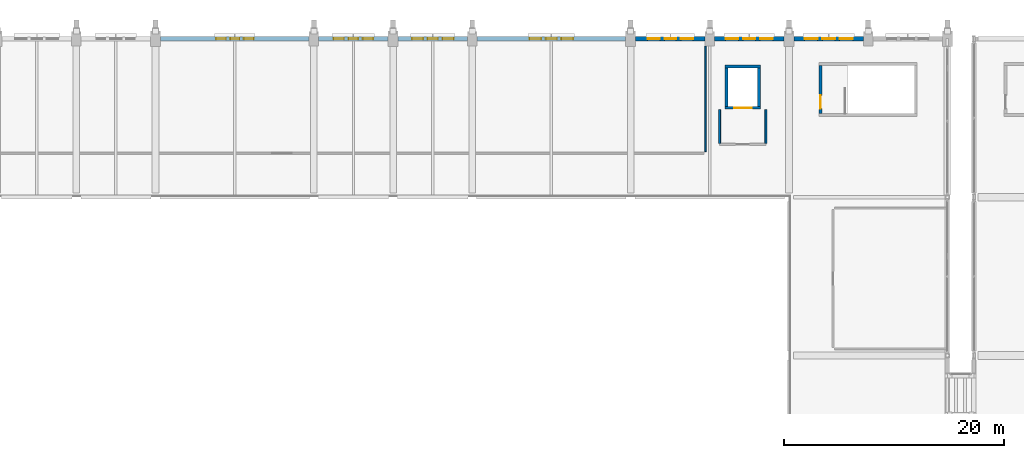
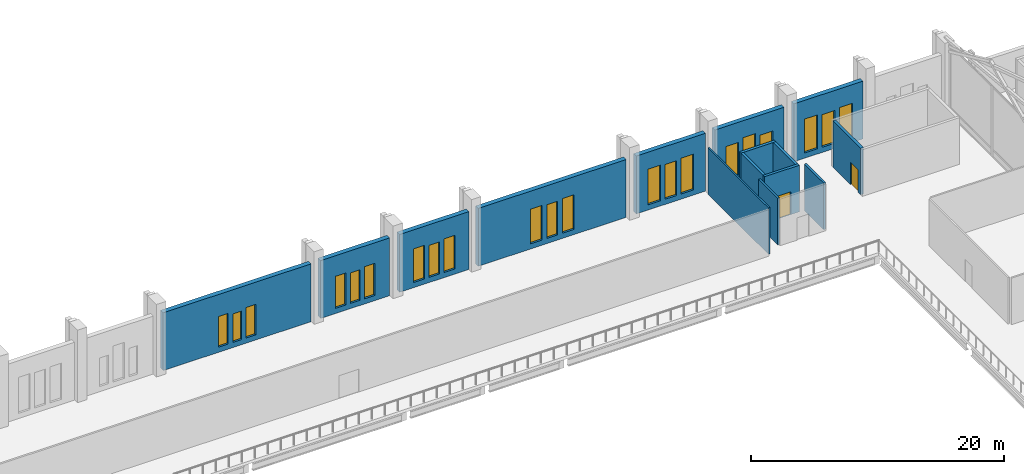
# One storey, part 170 of 220: 21 windows, 15 walls, 2 doors, 23 openings.
"""IFC4 building model written with IfcOpenShell, lengths in metres."""

from ifc_helpers import new_model, si_unit, direction, frame, frame_2d, origin, place, context, subcontext, project, spatial, rectangle, extrude, material, layer, layer_set, type_object, element, fill, save


model = new_model("IFC4")

# Units and contexts
model_context = context("Model", 3, precision=1e-05, world=origin(), true_north=direction((0.0, 1.0)))
body_context = subcontext(model_context, "Body", "Model", "MODEL_VIEW")
ifc_project = project(units=[si_unit("LENGTHUNIT", "METRE"), si_unit("AREAUNIT", "SQUARE_METRE"), si_unit("VOLUMEUNIT", "CUBIC_METRE"), si_unit("PLANEANGLEUNIT", "RADIAN"), si_unit("MASSUNIT", "GRAM", prefix="KILO")], contexts=[model_context])

# Site, building, storey
site_placement = place(None, origin())
site = spatial("IfcSite", under=ifc_project, at=site_placement, CompositionType="ELEMENT")
building_placement = place(site_placement, origin())
building = spatial("IfcBuilding", under=site, at=building_placement, Name="Cendralis Lancet Convention Centre", CompositionType="ELEMENT")
storey_placement = place(building_placement, frame((0.0, 0.0, 5.39990234375)))
storey = spatial("IfcBuildingStorey", under=building, at=storey_placement, Name="L01", CompositionType="ELEMENT", Elevation=5.39990234375)

# Wall, openings, windows
ifc_material_1 = material(Name="Buff sandstone ashlar and Concrete G40 (C40/50)", Category="masonry")
ifc_layer_1 = layer(ifc_material_1, 0.419921875, Name="Buff sandstone ashlar and Concrete G40 (C40/50)")
ifc_layer_set_1 = layer_set([ifc_layer_1], Name="Buff sandstone ashlar and Concrete G40 (C40/50)")
wall_type_1 = type_object("IfcWallType", Name="ARC-EW-W420", PredefinedType="STANDARD", material=ifc_layer_set_1)
wall_1_placement = place(storey_placement, frame((50.85791015625, 136.800048828125, 0.0), z_axis=(0.0, 0.0, 1.0), x_axis=(1.0, 0.0, 0.0)))
wall_1 = element("IfcWall", 1, at=wall_1_placement, inside=storey, type_object=wall_type_1, Name="L01 V1 Exterior Wall EW-01 #0043", PredefinedType="STANDARD", context=body_context, shape_type="SweptSolid", body=[
    extrude(rectangle(XDim=13.509033203125, YDim=0.419921875, at=frame_2d((6.75439453125, 0.0))), origin(), (0.0, 0.0, 1.0), 5.585205078125),
])
opening_1_placement = place(wall_1_placement, frame((5.054443359375, 0.0, 0.5)))
opening_1 = element("IfcOpeningElement", 2, at=opening_1_placement, cuts=wall_1, Name="Opening WN-08", PredefinedType="OPENING", context=body_context, shape_type="SweptSolid", body=[
    extrude(rectangle(XDim=0.8798828125, YDim=2.949951171875, at=frame_2d((0.43994140625, 1.47509765625))), frame((0.0, 0.219970703125, 0.0), z_axis=(0.0, -1.0, 0.0), x_axis=(1.0, 0.0, 0.0)), (0.0, 0.0, 1.0), 0.43994140625),
])
opening_2_placement = place(wall_1_placement, frame((6.3544921875, 0.0, 0.5)))
opening_2 = element("IfcOpeningElement", 3, at=opening_2_placement, cuts=wall_1, Name="Opening WN-07", PredefinedType="OPENING", context=body_context, shape_type="SweptSolid", body=[
    extrude(rectangle(XDim=0.800048828125, YDim=2.75, at=frame_2d((0.39990234375, 1.375))), frame((0.0, 0.219970703125, 0.0), z_axis=(0.0, -1.0, 0.0), x_axis=(1.0, 0.0, 0.0)), (0.0, 0.0, 1.0), 0.43994140625),
])
opening_3_placement = place(wall_1_placement, frame((7.574462890625, 0.0, 0.5)))
opening_3 = element("IfcOpeningElement", 4, at=opening_3_placement, cuts=wall_1, Name="Opening WN-08", PredefinedType="OPENING", context=body_context, shape_type="SweptSolid", body=[
    extrude(rectangle(XDim=0.8798828125, YDim=2.949951171875, at=frame_2d((0.43994140625, 1.47509765625))), frame((0.0, 0.219970703125, 0.0), z_axis=(0.0, -1.0, 0.0), x_axis=(1.0, 0.0, 0.0)), (0.0, 0.0, 1.0), 0.43994140625),
])
ifc_material_2 = material(Name="Double-glazed low-E solar-control glass", Category="glass")
window_type_1 = type_object("IfcWindowType", Name="ARC-WN-LW07", PartitioningType="SINGLE_PANEL", PredefinedType="WINDOW", material=ifc_material_2)
window_1_placement = place(opening_2_placement, origin())
window_1 = element("IfcWindow", 5, at=window_1_placement, inside=storey, type_object=window_type_1, Name="Gothic Lancet Window WN-07 #0050", OverallHeight=2.75, OverallWidth=0.800048828125, PartitioningType="SINGLE_PANEL", PredefinedType="WINDOW", context=body_context, shape_type="SweptSolid", body=[
    extrude(rectangle(XDim=0.800048828125, YDim=2.75, at=frame_2d((0.39990234375, 1.375))), frame((0.0, 0.030029296875, 0.0), z_axis=(0.0, -1.0, 0.0), x_axis=(1.0, 0.0, 0.0)), (0.0, 0.0, 1.0), 0.06005859375),
])
fill(opening_2, window_1)
window_type_2 = type_object("IfcWindowType", Name="ARC-WN-LW08", PartitioningType="SINGLE_PANEL", PredefinedType="WINDOW", material=ifc_material_2)
window_2_placement = place(opening_1_placement, origin())
window_2 = element("IfcWindow", 6, at=window_2_placement, inside=storey, type_object=window_type_2, Name="Gothic Lancet Window WN-08 #0049", OverallHeight=2.949951171875, OverallWidth=0.8798828125, PartitioningType="SINGLE_PANEL", PredefinedType="WINDOW", context=body_context, shape_type="SweptSolid", body=[
    extrude(rectangle(XDim=0.8798828125, YDim=2.949951171875, at=frame_2d((0.43994140625, 1.47509765625))), frame((0.0, 0.030029296875, 0.0), z_axis=(0.0, -1.0, 0.0), x_axis=(1.0, 0.0, 0.0)), (0.0, 0.0, 1.0), 0.06005859375),
])
fill(opening_1, window_2)
window_3_placement = place(opening_3_placement, origin())
window_3 = element("IfcWindow", 7, at=window_3_placement, inside=storey, type_object=window_type_2, Name="Gothic Lancet Window WN-08 #0051", OverallHeight=2.949951171875, OverallWidth=0.8798828125, PartitioningType="SINGLE_PANEL", PredefinedType="WINDOW", context=body_context, shape_type="SweptSolid", body=[
    extrude(rectangle(XDim=0.8798828125, YDim=2.949951171875, at=frame_2d((0.43994140625, 1.47509765625))), frame((0.0, 0.030029296875, 0.0), z_axis=(0.0, -1.0, 0.0), x_axis=(1.0, 0.0, 0.0)), (0.0, 0.0, 1.0), 0.06005859375),
])
fill(opening_3, window_3)

wall_2_placement = place(storey_placement, frame((65.23291015625, 136.800048828125, 0.0), z_axis=(0.0, 0.0, 1.0), x_axis=(1.0, 0.0, 0.0)))
wall_2 = element("IfcWall", 8, at=wall_2_placement, inside=storey, type_object=wall_type_1, Name="L01 V1 Exterior Wall EW-01 #0044", PredefinedType="STANDARD", context=body_context, shape_type="SweptSolid", body=[
    extrude(rectangle(XDim=6.30908203125, YDim=0.419921875, at=frame_2d((3.154541015625, 0.0))), origin(), (0.0, 0.0, 1.0), 5.585205078125),
])
opening_4_placement = place(wall_2_placement, frame((1.3544921875, 0.0, 0.5)))
opening_4 = element("IfcOpeningElement", 9, at=opening_4_placement, cuts=wall_2, Name="Opening WN-09", PredefinedType="OPENING", context=body_context, shape_type="SweptSolid", body=[
    extrude(rectangle(XDim=0.93994140625, YDim=3.10009765625, at=frame_2d((0.469970703125, 1.550048828125))), frame((0.0, 0.219970703125, 0.0), z_axis=(0.0, -1.0, 0.0), x_axis=(1.0, 0.0, 0.0)), (0.0, 0.0, 1.0), 0.43994140625),
])
opening_5_placement = place(wall_2_placement, frame((2.714599609375, 0.0, 0.5)))
opening_5 = element("IfcOpeningElement", 10, at=opening_5_placement, cuts=wall_2, Name="Opening WN-08", PredefinedType="OPENING", context=body_context, shape_type="SweptSolid", body=[
    extrude(rectangle(XDim=0.8798828125, YDim=2.949951171875, at=frame_2d((0.43994140625, 1.47509765625))), frame((0.0, 0.219970703125, 0.0), z_axis=(0.0, -1.0, 0.0), x_axis=(1.0, 0.0, 0.0)), (0.0, 0.0, 1.0), 0.43994140625),
])
opening_6_placement = place(wall_2_placement, frame((4.014404296875, 0.0, 0.5)))
opening_6 = element("IfcOpeningElement", 11, at=opening_6_placement, cuts=wall_2, Name="Opening WN-09", PredefinedType="OPENING", context=body_context, shape_type="SweptSolid", body=[
    extrude(rectangle(XDim=0.93994140625, YDim=3.10009765625, at=frame_2d((0.469970703125, 1.550048828125))), frame((0.0, 0.219970703125, 0.0), z_axis=(0.0, -1.0, 0.0), x_axis=(1.0, 0.0, 0.0)), (0.0, 0.0, 1.0), 0.43994140625),
])
window_4_placement = place(opening_5_placement, origin())
window_4 = element("IfcWindow", 12, at=window_4_placement, inside=storey, type_object=window_type_2, Name="Gothic Lancet Window WN-08 #0053", OverallHeight=2.949951171875, OverallWidth=0.8798828125, PartitioningType="SINGLE_PANEL", PredefinedType="WINDOW", context=body_context, shape_type="SweptSolid", body=[
    extrude(rectangle(XDim=0.8798828125, YDim=2.949951171875, at=frame_2d((0.43994140625, 1.47509765625))), frame((0.0, 0.030029296875, 0.0), z_axis=(0.0, -1.0, 0.0), x_axis=(1.0, 0.0, 0.0)), (0.0, 0.0, 1.0), 0.06005859375),
])
fill(opening_5, window_4)
window_type_3 = type_object("IfcWindowType", Name="ARC-WN-LW09", PartitioningType="SINGLE_PANEL", PredefinedType="WINDOW", material=ifc_material_2)
window_5_placement = place(opening_4_placement, origin())
window_5 = element("IfcWindow", 13, at=window_5_placement, inside=storey, type_object=window_type_3, Name="Gothic Lancet Window WN-09 #0052", OverallHeight=3.10009765625, OverallWidth=0.93994140625, PartitioningType="SINGLE_PANEL", PredefinedType="WINDOW", context=body_context, shape_type="SweptSolid", body=[
    extrude(rectangle(XDim=0.93994140625, YDim=3.10009765625, at=frame_2d((0.469970703125, 1.550048828125))), frame((0.0, 0.030029296875, 0.0), z_axis=(0.0, -1.0, 0.0), x_axis=(1.0, 0.0, 0.0)), (0.0, 0.0, 1.0), 0.06005859375),
])
fill(opening_4, window_5)
window_6_placement = place(opening_6_placement, origin())
window_6 = element("IfcWindow", 14, at=window_6_placement, inside=storey, type_object=window_type_3, Name="Gothic Lancet Window WN-09 #0054", OverallHeight=3.10009765625, OverallWidth=0.93994140625, PartitioningType="SINGLE_PANEL", PredefinedType="WINDOW", context=body_context, shape_type="SweptSolid", body=[
    extrude(rectangle(XDim=0.93994140625, YDim=3.10009765625, at=frame_2d((0.469970703125, 1.550048828125))), frame((0.0, 0.030029296875, 0.0), z_axis=(0.0, -1.0, 0.0), x_axis=(1.0, 0.0, 0.0)), (0.0, 0.0, 1.0), 0.06005859375),
])
fill(opening_6, window_6)

wall_3_placement = place(storey_placement, frame((72.4580078125, 136.800048828125, 0.0), z_axis=(0.0, 0.0, 1.0), x_axis=(1.0, 0.0, 0.0)))
wall_3 = element("IfcWall", 15, at=wall_3_placement, inside=storey, type_object=wall_type_1, Name="L01 V1 Exterior Wall EW-01 #0045", PredefinedType="STANDARD", context=body_context, shape_type="SweptSolid", body=[
    extrude(rectangle(XDim=6.30908203125, YDim=0.419921875, at=frame_2d((3.154541015625, 0.0))), origin(), (0.0, 0.0, 1.0), 5.585205078125),
])
opening_7_placement = place(wall_3_placement, frame((1.264404296875, 0.0, 0.5)))
opening_7 = element("IfcOpeningElement", 16, at=opening_7_placement, cuts=wall_3, Name="Opening WN-10", PredefinedType="OPENING", context=body_context, shape_type="SweptSolid", body=[
    extrude(rectangle(XDim=1.0, YDim=3.25, at=frame_2d((0.5, 1.625))), frame((0.0, 0.219970703125, 0.0), z_axis=(0.0, -1.0, 0.0), x_axis=(1.0, 0.0, 0.0)), (0.0, 0.0, 1.0), 0.43994140625),
])
opening_8_placement = place(wall_3_placement, frame((2.6845703125, 0.0, 0.5)))
opening_8 = element("IfcOpeningElement", 17, at=opening_8_placement, cuts=wall_3, Name="Opening WN-09", PredefinedType="OPENING", context=body_context, shape_type="SweptSolid", body=[
    extrude(rectangle(XDim=0.93994140625, YDim=3.10009765625, at=frame_2d((0.469970703125, 1.550048828125))), frame((0.0, 0.219970703125, 0.0), z_axis=(0.0, -1.0, 0.0), x_axis=(1.0, 0.0, 0.0)), (0.0, 0.0, 1.0), 0.43994140625),
])
opening_9_placement = place(wall_3_placement, frame((4.04443359375, 0.0, 0.5)))
opening_9 = element("IfcOpeningElement", 18, at=opening_9_placement, cuts=wall_3, Name="Opening WN-10", PredefinedType="OPENING", context=body_context, shape_type="SweptSolid", body=[
    extrude(rectangle(XDim=1.0, YDim=3.25, at=frame_2d((0.5, 1.625))), frame((0.0, 0.219970703125, 0.0), z_axis=(0.0, -1.0, 0.0), x_axis=(1.0, 0.0, 0.0)), (0.0, 0.0, 1.0), 0.43994140625),
])
window_7_placement = place(opening_8_placement, origin())
window_7 = element("IfcWindow", 19, at=window_7_placement, inside=storey, type_object=window_type_3, Name="Gothic Lancet Window WN-09 #0056", OverallHeight=3.10009765625, OverallWidth=0.93994140625, PartitioningType="SINGLE_PANEL", PredefinedType="WINDOW", context=body_context, shape_type="SweptSolid", body=[
    extrude(rectangle(XDim=0.93994140625, YDim=3.10009765625, at=frame_2d((0.469970703125, 1.550048828125))), frame((0.0, 0.030029296875, 0.0), z_axis=(0.0, -1.0, 0.0), x_axis=(1.0, 0.0, 0.0)), (0.0, 0.0, 1.0), 0.06005859375),
])
fill(opening_8, window_7)
window_type_4 = type_object("IfcWindowType", Name="ARC-WN-LW10", PartitioningType="SINGLE_PANEL", PredefinedType="WINDOW", material=ifc_material_2)
window_8_placement = place(opening_7_placement, origin())
window_8 = element("IfcWindow", 20, at=window_8_placement, inside=storey, type_object=window_type_4, Name="Gothic Lancet Window WN-10 #0055", OverallHeight=3.25, OverallWidth=1.0, PartitioningType="SINGLE_PANEL", PredefinedType="WINDOW", context=body_context, shape_type="SweptSolid", body=[
    extrude(rectangle(XDim=1.0, YDim=3.25, at=frame_2d((0.5, 1.625))), frame((0.0, 0.030029296875, 0.0), z_axis=(0.0, -1.0, 0.0), x_axis=(1.0, 0.0, 0.0)), (0.0, 0.0, 1.0), 0.06005859375),
])
fill(opening_7, window_8)
window_9_placement = place(opening_9_placement, origin())
window_9 = element("IfcWindow", 21, at=window_9_placement, inside=storey, type_object=window_type_4, Name="Gothic Lancet Window WN-10 #0057", OverallHeight=3.25, OverallWidth=1.0, PartitioningType="SINGLE_PANEL", PredefinedType="WINDOW", context=body_context, shape_type="SweptSolid", body=[
    extrude(rectangle(XDim=1.0, YDim=3.25, at=frame_2d((0.5, 1.625))), frame((0.0, 0.030029296875, 0.0), z_axis=(0.0, -1.0, 0.0), x_axis=(1.0, 0.0, 0.0)), (0.0, 0.0, 1.0), 0.06005859375),
])
fill(opening_9, window_9)

wall_4_placement = place(storey_placement, frame((79.633056640625, 136.800048828125, 0.0), z_axis=(0.0, 0.0, 1.0), x_axis=(1.0, 0.0, 0.0)))
wall_4 = element("IfcWall", 22, at=wall_4_placement, inside=storey, type_object=wall_type_1, Name="L01 V1 Exterior Wall EW-01 #0046", PredefinedType="STANDARD", context=body_context, shape_type="SweptSolid", body=[
    extrude(rectangle(XDim=13.509033203125, YDim=0.419921875, at=frame_2d((6.75439453125, 0.0))), origin(), (0.0, 0.0, 1.0), 5.585205078125),
])
opening_10_placement = place(wall_4_placement, frame((4.7744140625, 0.0, 0.5)))
opening_10 = element("IfcOpeningElement", 23, at=opening_10_placement, cuts=wall_4, Name="Opening WN-11", PredefinedType="OPENING", context=body_context, shape_type="SweptSolid", body=[
    extrude(rectangle(XDim=1.06005859375, YDim=3.35009765625, at=frame_2d((0.530029296875, 1.675048828125))), frame((0.0, 0.219970703125, 0.0), z_axis=(0.0, -1.0, 0.0), x_axis=(1.0, 0.0, 0.0)), (0.0, 0.0, 1.0), 0.43994140625),
])
opening_11_placement = place(wall_4_placement, frame((6.25439453125, 0.0, 0.5)))
opening_11 = element("IfcOpeningElement", 24, at=opening_11_placement, cuts=wall_4, Name="Opening WN-10", PredefinedType="OPENING", context=body_context, shape_type="SweptSolid", body=[
    extrude(rectangle(XDim=1.0, YDim=3.25, at=frame_2d((0.5, 1.625))), frame((0.0, 0.219970703125, 0.0), z_axis=(0.0, -1.0, 0.0), x_axis=(1.0, 0.0, 0.0)), (0.0, 0.0, 1.0), 0.43994140625),
])
opening_12_placement = place(wall_4_placement, frame((7.674560546875, 0.0, 0.5)))
opening_12 = element("IfcOpeningElement", 25, at=opening_12_placement, cuts=wall_4, Name="Opening WN-11", PredefinedType="OPENING", context=body_context, shape_type="SweptSolid", body=[
    extrude(rectangle(XDim=1.06005859375, YDim=3.35009765625, at=frame_2d((0.530029296875, 1.675048828125))), frame((0.0, 0.219970703125, 0.0), z_axis=(0.0, -1.0, 0.0), x_axis=(1.0, 0.0, 0.0)), (0.0, 0.0, 1.0), 0.43994140625),
])
window_10_placement = place(opening_11_placement, origin())
window_10 = element("IfcWindow", 26, at=window_10_placement, inside=storey, type_object=window_type_4, Name="Gothic Lancet Window WN-10 #0059", OverallHeight=3.25, OverallWidth=1.0, PartitioningType="SINGLE_PANEL", PredefinedType="WINDOW", context=body_context, shape_type="SweptSolid", body=[
    extrude(rectangle(XDim=1.0, YDim=3.25, at=frame_2d((0.5, 1.625))), frame((0.0, 0.030029296875, 0.0), z_axis=(0.0, -1.0, 0.0), x_axis=(1.0, 0.0, 0.0)), (0.0, 0.0, 1.0), 0.06005859375),
])
fill(opening_11, window_10)
window_type_5 = type_object("IfcWindowType", Name="ARC-WN-LW11", PartitioningType="SINGLE_PANEL", PredefinedType="WINDOW", material=ifc_material_2)
window_11_placement = place(opening_10_placement, origin())
window_11 = element("IfcWindow", 27, at=window_11_placement, inside=storey, type_object=window_type_5, Name="Gothic Lancet Window WN-11 #0058", OverallHeight=3.35009765625, OverallWidth=1.06005859375, PartitioningType="SINGLE_PANEL", PredefinedType="WINDOW", context=body_context, shape_type="SweptSolid", body=[
    extrude(rectangle(XDim=1.06005859375, YDim=3.35009765625, at=frame_2d((0.530029296875, 1.675048828125))), frame((0.0, 0.030029296875, 0.0), z_axis=(0.0, -1.0, 0.0), x_axis=(1.0, 0.0, 0.0)), (0.0, 0.0, 1.0), 0.06005859375),
])
fill(opening_10, window_11)
window_12_placement = place(opening_12_placement, origin())
window_12 = element("IfcWindow", 28, at=window_12_placement, inside=storey, type_object=window_type_5, Name="Gothic Lancet Window WN-11 #0060", OverallHeight=3.35009765625, OverallWidth=1.06005859375, PartitioningType="SINGLE_PANEL", PredefinedType="WINDOW", context=body_context, shape_type="SweptSolid", body=[
    extrude(rectangle(XDim=1.06005859375, YDim=3.35009765625, at=frame_2d((0.530029296875, 1.675048828125))), frame((0.0, 0.030029296875, 0.0), z_axis=(0.0, -1.0, 0.0), x_axis=(1.0, 0.0, 0.0)), (0.0, 0.0, 1.0), 0.06005859375),
])
fill(opening_12, window_12)

wall_5_placement = place(storey_placement, frame((94.05810546875, 136.800048828125, 0.0), z_axis=(0.0, 0.0, 1.0), x_axis=(1.0, 0.0, 0.0)))
wall_5 = element("IfcWall", 29, at=wall_5_placement, inside=storey, type_object=wall_type_1, Name="L01 V1 Exterior Wall EW-01 #0047", PredefinedType="STANDARD", context=body_context, shape_type="SweptSolid", body=[
    extrude(rectangle(XDim=6.308837890625, YDim=0.419921875, at=frame_2d((3.154296875, 0.0))), origin(), (0.0, 0.0, 1.0), 5.585205078125),
])
opening_13_placement = place(wall_5_placement, frame((1.08447265625, 0.0, 0.5)))
opening_13 = element("IfcOpeningElement", 30, at=opening_13_placement, cuts=wall_5, Name="Opening WN-12", PredefinedType="OPENING", context=body_context, shape_type="SweptSolid", body=[
    extrude(rectangle(XDim=1.1201171875, YDim=3.449951171875, at=frame_2d((0.56005859375, 1.72509765625))), frame((0.0, 0.219970703125, 0.0), z_axis=(0.0, -1.0, 0.0), x_axis=(1.0, 0.0, 0.0)), (0.0, 0.0, 1.0), 0.43994140625),
])
opening_14_placement = place(wall_5_placement, frame((2.62451171875, 0.0, 0.5)))
opening_14 = element("IfcOpeningElement", 31, at=opening_14_placement, cuts=wall_5, Name="Opening WN-11", PredefinedType="OPENING", context=body_context, shape_type="SweptSolid", body=[
    extrude(rectangle(XDim=1.06005859375, YDim=3.35009765625, at=frame_2d((0.530029296875, 1.675048828125))), frame((0.0, 0.219970703125, 0.0), z_axis=(0.0, -1.0, 0.0), x_axis=(1.0, 0.0, 0.0)), (0.0, 0.0, 1.0), 0.43994140625),
])
opening_15_placement = place(wall_5_placement, frame((4.1044921875, 0.0, 0.5)))
opening_15 = element("IfcOpeningElement", 32, at=opening_15_placement, cuts=wall_5, Name="Opening WN-12", PredefinedType="OPENING", context=body_context, shape_type="SweptSolid", body=[
    extrude(rectangle(XDim=1.1201171875, YDim=3.449951171875, at=frame_2d((0.56005859375, 1.72509765625))), frame((0.0, 0.219970703125, 0.0), z_axis=(0.0, -1.0, 0.0), x_axis=(1.0, 0.0, 0.0)), (0.0, 0.0, 1.0), 0.43994140625),
])
window_13_placement = place(opening_14_placement, origin())
window_13 = element("IfcWindow", 33, at=window_13_placement, inside=storey, type_object=window_type_5, Name="Gothic Lancet Window WN-11 #0062", OverallHeight=3.35009765625, OverallWidth=1.06005859375, PartitioningType="SINGLE_PANEL", PredefinedType="WINDOW", context=body_context, shape_type="SweptSolid", body=[
    extrude(rectangle(XDim=1.06005859375, YDim=3.35009765625, at=frame_2d((0.530029296875, 1.675048828125))), frame((0.0, 0.030029296875, 0.0), z_axis=(0.0, -1.0, 0.0), x_axis=(1.0, 0.0, 0.0)), (0.0, 0.0, 1.0), 0.06005859375),
])
fill(opening_14, window_13)
window_type_6 = type_object("IfcWindowType", Name="ARC-WN-LW12", PartitioningType="SINGLE_PANEL", PredefinedType="WINDOW", material=ifc_material_2)
window_14_placement = place(opening_13_placement, origin())
window_14 = element("IfcWindow", 34, at=window_14_placement, inside=storey, type_object=window_type_6, Name="Gothic Lancet Window WN-12 #0061", OverallHeight=3.449951171875, OverallWidth=1.1201171875, PartitioningType="SINGLE_PANEL", PredefinedType="WINDOW", context=body_context, shape_type="SweptSolid", body=[
    extrude(rectangle(XDim=1.1201171875, YDim=3.449951171875, at=frame_2d((0.56005859375, 1.72509765625))), frame((0.0, 0.030029296875, 0.0), z_axis=(0.0, -1.0, 0.0), x_axis=(1.0, 0.0, 0.0)), (0.0, 0.0, 1.0), 0.06005859375),
])
fill(opening_13, window_14)
window_15_placement = place(opening_15_placement, origin())
window_15 = element("IfcWindow", 35, at=window_15_placement, inside=storey, type_object=window_type_6, Name="Gothic Lancet Window WN-12 #0063", OverallHeight=3.449951171875, OverallWidth=1.1201171875, PartitioningType="SINGLE_PANEL", PredefinedType="WINDOW", context=body_context, shape_type="SweptSolid", body=[
    extrude(rectangle(XDim=1.1201171875, YDim=3.449951171875, at=frame_2d((0.56005859375, 1.72509765625))), frame((0.0, 0.030029296875, 0.0), z_axis=(0.0, -1.0, 0.0), x_axis=(1.0, 0.0, 0.0)), (0.0, 0.0, 1.0), 0.06005859375),
])
fill(opening_15, window_15)

wall_6_placement = place(storey_placement, frame((101.23291015625, 136.800048828125, 0.0), z_axis=(0.0, 0.0, 1.0), x_axis=(1.0, 0.0, 0.0)))
wall_6 = element("IfcWall", 36, at=wall_6_placement, inside=storey, type_object=wall_type_1, Name="L01 V1 Exterior Wall EW-01 #0048", PredefinedType="STANDARD", context=body_context, shape_type="SweptSolid", body=[
    extrude(rectangle(XDim=6.30908203125, YDim=0.419921875, at=frame_2d((3.154541015625, 0.0))), origin(), (0.0, 0.0, 1.0), 5.585205078125),
])
opening_16_placement = place(wall_6_placement, frame((1.014404296875, 0.0, 0.5)))
opening_16 = element("IfcOpeningElement", 37, at=opening_16_placement, cuts=wall_6, Name="Opening WN-13", PredefinedType="OPENING", context=body_context, shape_type="SweptSolid", body=[
    extrude(rectangle(XDim=1.159912109375, YDim=3.14990234375, at=frame_2d((0.580078125, 1.574951171875))), frame((0.0, 0.219970703125, 0.0), z_axis=(0.0, -1.0, 0.0), x_axis=(1.0, 0.0, 0.0)), (0.0, 0.0, 1.0), 0.43994140625),
])
opening_17_placement = place(wall_6_placement, frame((2.594482421875, 0.0, 0.5)))
opening_17 = element("IfcOpeningElement", 38, at=opening_17_placement, cuts=wall_6, Name="Opening WN-12", PredefinedType="OPENING", context=body_context, shape_type="SweptSolid", body=[
    extrude(rectangle(XDim=1.1201171875, YDim=3.449951171875, at=frame_2d((0.56005859375, 1.72509765625))), frame((0.0, 0.219970703125, 0.0), z_axis=(0.0, -1.0, 0.0), x_axis=(1.0, 0.0, 0.0)), (0.0, 0.0, 1.0), 0.43994140625),
])
opening_18_placement = place(wall_6_placement, frame((4.134521484375, 0.0, 0.5)))
opening_18 = element("IfcOpeningElement", 39, at=opening_18_placement, cuts=wall_6, Name="Opening WN-13", PredefinedType="OPENING", context=body_context, shape_type="SweptSolid", body=[
    extrude(rectangle(XDim=1.159912109375, YDim=3.14990234375, at=frame_2d((0.580078125, 1.574951171875))), frame((0.0, 0.219970703125, 0.0), z_axis=(0.0, -1.0, 0.0), x_axis=(1.0, 0.0, 0.0)), (0.0, 0.0, 1.0), 0.43994140625),
])
window_16_placement = place(opening_17_placement, origin())
window_16 = element("IfcWindow", 40, at=window_16_placement, inside=storey, type_object=window_type_6, Name="Gothic Lancet Window WN-12 #0065", OverallHeight=3.449951171875, OverallWidth=1.1201171875, PartitioningType="SINGLE_PANEL", PredefinedType="WINDOW", context=body_context, shape_type="SweptSolid", body=[
    extrude(rectangle(XDim=1.1201171875, YDim=3.449951171875, at=frame_2d((0.56005859375, 1.72509765625))), frame((0.0, 0.030029296875, 0.0), z_axis=(0.0, -1.0, 0.0), x_axis=(1.0, 0.0, 0.0)), (0.0, 0.0, 1.0), 0.06005859375),
])
fill(opening_17, window_16)
window_type_7 = type_object("IfcWindowType", Name="ARC-WN-LW13", PartitioningType="SINGLE_PANEL", PredefinedType="WINDOW", material=ifc_material_2)
window_17_placement = place(opening_16_placement, origin())
window_17 = element("IfcWindow", 41, at=window_17_placement, inside=storey, type_object=window_type_7, Name="Gothic Lancet Window WN-13 #0064", OverallHeight=3.14990234375, OverallWidth=1.159912109375, PartitioningType="SINGLE_PANEL", PredefinedType="WINDOW", context=body_context, shape_type="SweptSolid", body=[
    extrude(rectangle(XDim=1.159912109375, YDim=3.14990234375, at=frame_2d((0.580078125, 1.574951171875))), frame((0.0, 0.030029296875, 0.0), z_axis=(0.0, -1.0, 0.0), x_axis=(1.0, 0.0, 0.0)), (0.0, 0.0, 1.0), 0.06005859375),
])
fill(opening_16, window_17)
window_18_placement = place(opening_18_placement, origin())
window_18 = element("IfcWindow", 42, at=window_18_placement, inside=storey, type_object=window_type_7, Name="Gothic Lancet Window WN-13 #0066", OverallHeight=3.14990234375, OverallWidth=1.159912109375, PartitioningType="SINGLE_PANEL", PredefinedType="WINDOW", context=body_context, shape_type="SweptSolid", body=[
    extrude(rectangle(XDim=1.159912109375, YDim=3.14990234375, at=frame_2d((0.580078125, 1.574951171875))), frame((0.0, 0.030029296875, 0.0), z_axis=(0.0, -1.0, 0.0), x_axis=(1.0, 0.0, 0.0)), (0.0, 0.0, 1.0), 0.06005859375),
])
fill(opening_18, window_18)

wall_7_placement = place(storey_placement, frame((108.4580078125, 136.800048828125, 0.0), z_axis=(0.0, 0.0, 1.0), x_axis=(1.0, 0.0, 0.0)))
wall_7 = element("IfcWall", 43, at=wall_7_placement, inside=storey, type_object=wall_type_1, Name="L01 V1 Exterior Wall EW-01 #0049", PredefinedType="STANDARD", context=body_context, shape_type="SweptSolid", body=[
    extrude(rectangle(XDim=6.30908203125, YDim=0.419921875, at=frame_2d((3.154541015625, 0.0))), origin(), (0.0, 0.0, 1.0), 5.585205078125),
])
opening_19_placement = place(wall_7_placement, frame((0.95458984375, 0.0, 0.5)))
opening_19 = element("IfcOpeningElement", 44, at=opening_19_placement, cuts=wall_7, Name="Opening WN-14", PredefinedType="OPENING", context=body_context, shape_type="SweptSolid", body=[
    extrude(rectangle(XDim=1.199951171875, YDim=3.280029296875, at=frame_2d((0.60009765625, 1.64013671875))), frame((0.0, 0.219970703125, 0.0), z_axis=(0.0, -1.0, 0.0), x_axis=(1.0, 0.0, 0.0)), (0.0, 0.0, 1.0), 0.43994140625),
])
opening_20_placement = place(wall_7_placement, frame((2.574462890625, 0.0, 0.5)))
opening_20 = element("IfcOpeningElement", 45, at=opening_20_placement, cuts=wall_7, Name="Opening WN-13", PredefinedType="OPENING", context=body_context, shape_type="SweptSolid", body=[
    extrude(rectangle(XDim=1.159912109375, YDim=3.14990234375, at=frame_2d((0.580078125, 1.574951171875))), frame((0.0, 0.219970703125, 0.0), z_axis=(0.0, -1.0, 0.0), x_axis=(1.0, 0.0, 0.0)), (0.0, 0.0, 1.0), 0.43994140625),
])
opening_21_placement = place(wall_7_placement, frame((4.154541015625, 0.0, 0.5)))
opening_21 = element("IfcOpeningElement", 46, at=opening_21_placement, cuts=wall_7, Name="Opening WN-14", PredefinedType="OPENING", context=body_context, shape_type="SweptSolid", body=[
    extrude(rectangle(XDim=1.199951171875, YDim=3.280029296875, at=frame_2d((0.60009765625, 1.64013671875))), frame((0.0, 0.219970703125, 0.0), z_axis=(0.0, -1.0, 0.0), x_axis=(1.0, 0.0, 0.0)), (0.0, 0.0, 1.0), 0.43994140625),
])
window_19_placement = place(opening_20_placement, origin())
window_19 = element("IfcWindow", 47, at=window_19_placement, inside=storey, type_object=window_type_7, Name="Gothic Lancet Window WN-13 #0068", OverallHeight=3.14990234375, OverallWidth=1.159912109375, PartitioningType="SINGLE_PANEL", PredefinedType="WINDOW", context=body_context, shape_type="SweptSolid", body=[
    extrude(rectangle(XDim=1.159912109375, YDim=3.14990234375, at=frame_2d((0.580078125, 1.574951171875))), frame((0.0, 0.030029296875, 0.0), z_axis=(0.0, -1.0, 0.0), x_axis=(1.0, 0.0, 0.0)), (0.0, 0.0, 1.0), 0.06005859375),
])
fill(opening_20, window_19)
window_type_8 = type_object("IfcWindowType", Name="ARC-WN-LW14", PartitioningType="SINGLE_PANEL", PredefinedType="WINDOW", material=ifc_material_2)
window_20_placement = place(opening_19_placement, origin())
window_20 = element("IfcWindow", 48, at=window_20_placement, inside=storey, type_object=window_type_8, Name="Gothic Lancet Window WN-14 #0067", OverallHeight=3.280029296875, OverallWidth=1.199951171875, PartitioningType="SINGLE_PANEL", PredefinedType="WINDOW", context=body_context, shape_type="SweptSolid", body=[
    extrude(rectangle(XDim=1.199951171875, YDim=3.280029296875, at=frame_2d((0.60009765625, 1.64013671875))), frame((0.0, 0.030029296875, 0.0), z_axis=(0.0, -1.0, 0.0), x_axis=(1.0, 0.0, 0.0)), (0.0, 0.0, 1.0), 0.06005859375),
])
fill(opening_19, window_20)
window_21_placement = place(opening_21_placement, origin())
window_21 = element("IfcWindow", 49, at=window_21_placement, inside=storey, type_object=window_type_8, Name="Gothic Lancet Window WN-14 #0069", OverallHeight=3.280029296875, OverallWidth=1.199951171875, PartitioningType="SINGLE_PANEL", PredefinedType="WINDOW", context=body_context, shape_type="SweptSolid", body=[
    extrude(rectangle(XDim=1.199951171875, YDim=3.280029296875, at=frame_2d((0.60009765625, 1.64013671875))), frame((0.0, 0.030029296875, 0.0), z_axis=(0.0, -1.0, 0.0), x_axis=(1.0, 0.0, 0.0)), (0.0, 0.0, 1.0), 0.06005859375),
])
fill(opening_21, window_21)

# Walls
ifc_material_3 = material(Name="Acoustic fire-rated gypsum board on steel studs", Category="steel")
ifc_layer_2 = layer(ifc_material_3, 0.139892578125, Name="Acoustic fire-rated gypsum board on steel studs")
ifc_layer_set_2 = layer_set([ifc_layer_2], Name="Acoustic fire-rated gypsum board on steel studs")
wall_type_2 = type_object("IfcWallType", Name="ARC-IW-P140", PredefinedType="PARTITIONING", material=ifc_layer_set_2)
wall_8_placement = place(storey_placement, frame((100.39990234375, 126.5400390625, 0.0), z_axis=(0.0, 0.0, 1.0), x_axis=(0.0, 1.0, 0.0)))
element("IfcWall", 50, at=wall_8_placement, inside=storey, type_object=wall_type_2, Name="L01 Interior Partition IW-04 #0031", PredefinedType="PARTITIONING", context=body_context, shape_type="SweptSolid", body=[
    extrude(rectangle(XDim=9.58984375, YDim=0.139892578125, at=frame_2d((4.794921875, 0.0))), origin(), (0.0, 0.0, 1.0), 4.485107421875),
])
ifc_layer_3 = layer(ifc_material_3, 0.179931640625, Name="Acoustic fire-rated gypsum board on steel studs")
ifc_layer_set_3 = layer_set([ifc_layer_3], Name="Acoustic fire-rated gypsum board on steel studs")
wall_type_3 = type_object("IfcWallType", Name="ARC-IW-P180", PredefinedType="PARTITIONING", material=ifc_layer_set_3)
for number, where, z_axis, x_axis, name in (
    (51, (101.699951171875, 127.300048828125, 0.0), (0.0, 0.0, 1.0), (0.0, 1.0, 0.0), "L01 Lift Lobby LG-01 West Wall"),
    (52, (105.89990234375, 127.300048828125, 0.0), (0.0, 0.0, 1.0), (0.0, 1.0, 0.0), "L01 Lift Lobby LG-01 East Wall"),
):
    element("IfcWall", number, at=place(storey_placement, frame(where, z_axis=z_axis, x_axis=x_axis)), inside=storey, type_object=wall_type_3, Name=name, PredefinedType="PARTITIONING", context=body_context, shape_type="SweptSolid", body=[
        extrude(rectangle(XDim=3.050048828125, YDim=0.179931640625, at=frame_2d((1.52490234375, 0.0))), origin(), (0.0, 0.0, 1.0), 4.5),
    ])

# Wall, opening, door
ifc_material_4 = material(Name="Concrete G40 (C40/50)", Category="concrete")
ifc_layer_4 = layer(ifc_material_4, 0.25, Name="Concrete G40 (C40/50)")
ifc_layer_set_4 = layer_set([ifc_layer_4], Name="Concrete G40 (C40/50)")
wall_type_4 = type_object("IfcWallType", Name="STR-SW-CW250", PredefinedType="SHEAR", material=ifc_layer_set_4)
wall_9_placement = place(storey_placement, frame((110.875, 130.0, 0.0), z_axis=(0.0, 0.0, 1.0), x_axis=(0.0, 1.0, 0.0)))
wall_9 = element("IfcWall", 53, at=wall_9_placement, inside=storey, type_object=wall_type_4, Name="L01 Stair Core ST-04 West Shear Wall", PredefinedType="SHEAR", context=body_context, shape_type="SweptSolid", body=[
    extrude(rectangle(XDim=4.3798828125, YDim=0.25, at=frame_2d((2.18994140625, 0.0))), origin(), (0.0, 0.0, 1.0), 4.5),
])
opening_22_placement = place(wall_9_placement, frame((0.449951171875, 0.0, 0.0)))
opening_22 = element("IfcOpeningElement", 54, at=opening_22_placement, cuts=wall_9, Name="Opening SD-12", PredefinedType="OPENING", context=body_context, shape_type="SweptSolid", body=[
    extrude(rectangle(XDim=1.199951171875, YDim=2.14990234375, at=frame_2d((0.60009765625, 1.074951171875))), frame((0.0, 0.135009765625, 0.0), z_axis=(0.0, -1.0, 0.0), x_axis=(1.0, 0.0, 0.0)), (0.0, 0.0, 1.0), 0.27001953125),
])
ifc_material_5 = material(Name="Steel S355", Category="steel")
door_type_1 = type_object("IfcDoorType", Name="ARC-DR-ST12", OperationType="NOTDEFINED", PredefinedType="DOOR", material=ifc_material_5)
door_1_placement = place(opening_22_placement, frame((1.199951171875, 0.0, 0.0), z_axis=(0.0, 0.0, 1.0), x_axis=(-1.0, 0.0, 0.0)))
door_1 = element("IfcDoor", 55, at=door_1_placement, inside=storey, type_object=door_type_1, Name="L01-D071 L01 Exit Stair ST-04 Fire Door", OperationType="SINGLE_SWING_LEFT", OverallHeight=2.14990234375, OverallWidth=1.199951171875, PredefinedType="DOOR", context=body_context, shape_type="SweptSolid", body=[
    extrude(rectangle(XDim=1.199951171875, YDim=2.14990234375, at=frame_2d((0.60009765625, 1.074951171875))), frame((0.0, 0.02490234375, 0.0), z_axis=(0.0, -1.0, 0.0), x_axis=(1.0, 0.0, 0.0)), (0.0, 0.0, 1.0), 0.050048828125),
])
fill(opening_22, door_1)

wall_10_placement = place(storey_placement, frame((102.199951171875, 130.52490234375, 0.0), z_axis=(0.0, 0.0, 1.0), x_axis=(1.0, 0.0, 0.0)))
wall_10 = element("IfcWall", 56, at=wall_10_placement, inside=storey, type_object=wall_type_4, Name="L01 Lift LG-01 South Shaft Wall", PredefinedType="SHEAR", context=body_context, shape_type="SweptSolid", body=[
    extrude(rectangle(XDim=3.199951171875, YDim=0.25, at=frame_2d((1.60009765625, 0.0))), origin(), (0.0, 0.0, 1.0), 4.5),
])
opening_23_placement = place(wall_10_placement, frame((0.800048828125, 0.0, 0.0)))
opening_23 = element("IfcOpeningElement", 57, at=opening_23_placement, cuts=wall_10, Name="Opening LD-16", PredefinedType="OPENING", context=body_context, shape_type="SweptSolid", body=[
    extrude(rectangle(XDim=1.60009765625, YDim=2.199951171875, at=frame_2d((0.800048828125, 1.10009765625))), frame((0.0, 0.135009765625, 0.0), z_axis=(0.0, -1.0, 0.0), x_axis=(1.0, 0.0, 0.0)), (0.0, 0.0, 1.0), 0.27001953125),
])
door_type_2 = type_object("IfcDoorType", Name="ARC-DR-LD16", OperationType="NOTDEFINED", PredefinedType="DOOR", material=ifc_material_5)
door_2_placement = place(opening_23_placement, origin())
door_2 = element("IfcDoor", 58, at=door_2_placement, inside=storey, type_object=door_type_2, Name="L01-D042 L01 Lift LG-01 Sliding Landing Door", OperationType="SLIDING_TO_LEFT", OverallHeight=2.199951171875, OverallWidth=1.60009765625, PredefinedType="DOOR", context=body_context, shape_type="SweptSolid", body=[
    extrude(rectangle(XDim=1.60009765625, YDim=2.199951171875, at=frame_2d((0.800048828125, 1.10009765625))), frame((0.0, 0.02490234375, 0.0), z_axis=(0.0, -1.0, 0.0), x_axis=(1.0, 0.0, 0.0)), (0.0, 0.0, 1.0), 0.050048828125),
])
fill(opening_23, door_2)

# Walls
wall_11_placement = place(storey_placement, frame((102.199951171875, 134.27490234375, 0.0), z_axis=(0.0, 0.0, 1.0), x_axis=(1.0, 0.0, 0.0)))
element("IfcWall", 59, at=wall_11_placement, inside=storey, type_object=wall_type_4, Name="L01 Lift LG-01 North Shaft Wall", PredefinedType="SHEAR", context=body_context, shape_type="SweptSolid", body=[
    extrude(rectangle(XDim=3.199951171875, YDim=0.25, at=frame_2d((1.60009765625, 0.0))), origin(), (0.0, 0.0, 1.0), 4.5),
])
for number, where, z_axis, x_axis, name in (
    (60, (102.324951171875, 130.64990234375, 0.0), (0.0, 0.0, 1.0), (0.0, 1.0, 0.0), "L01 Lift LG-01 West Shaft Wall"),
    (61, (105.27490234375, 130.64990234375, 0.0), (0.0, 0.0, 1.0), (0.0, 1.0, 0.0), "L01 Lift LG-01 East Shaft Wall"),
):
    element("IfcWall", number, at=place(storey_placement, frame(where, z_axis=z_axis, x_axis=x_axis)), inside=storey, type_object=wall_type_4, Name=name, PredefinedType="SHEAR", context=body_context, shape_type="SweptSolid", body=[
        extrude(rectangle(XDim=3.5, YDim=0.25, at=frame_2d((1.75, 0.0))), origin(), (0.0, 0.0, 1.0), 4.5),
    ])

save(model, "model.ifc")
